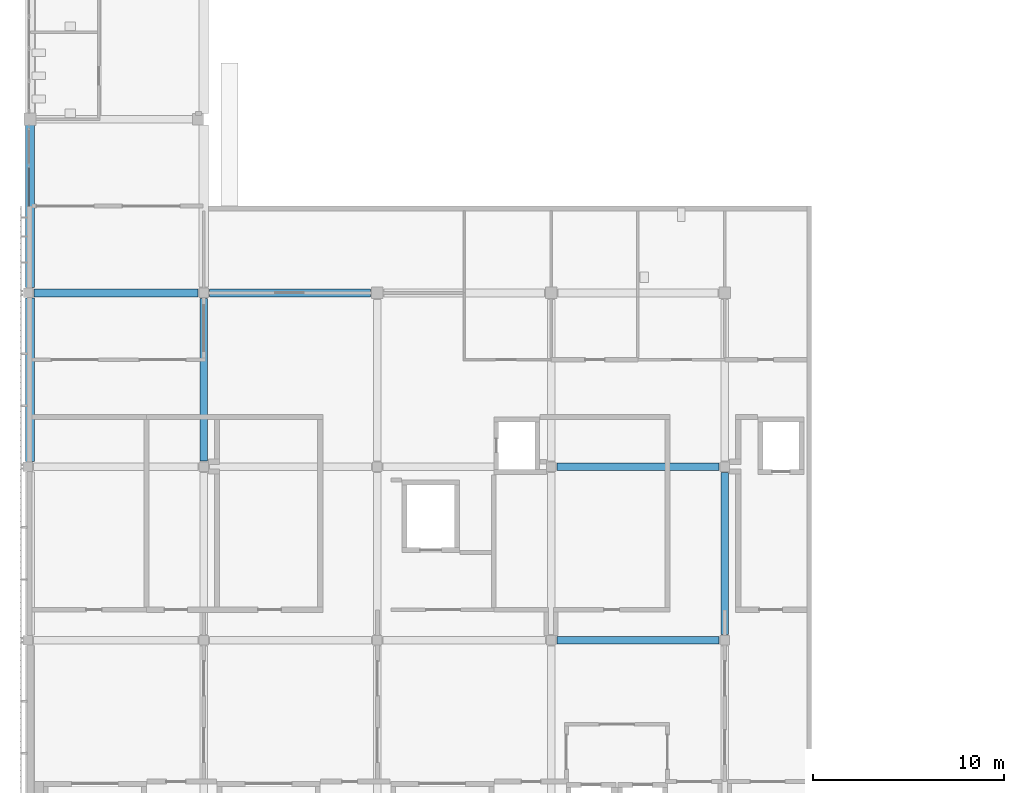
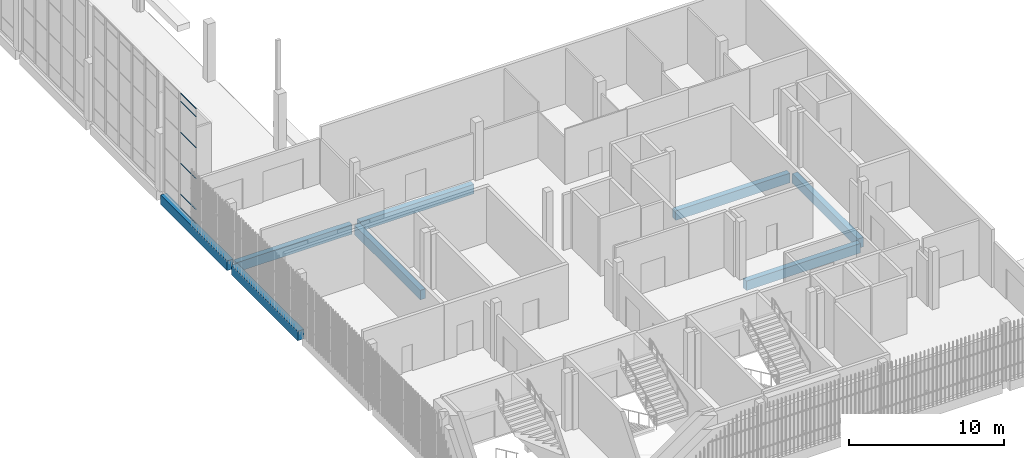
# One storey, part 6 of 91: 8 beams, 6 members, 1 element without a shape of its own.
"""IFC4 building model written with IfcOpenShell, lengths in metres."""

from ifc_helpers import new_model, si_unit, direction, frame, origin, origin_2d, place, context, subcontext, project, spatial, rectangle, hollow_rectangle, extrude, material, layer, layer_set, material_profile, profile_set, type_object, element, aggregate, save


model = new_model("IFC4")

# Units and contexts
model_context = context("Model", 3, precision=1e-05, world=origin(), true_north=direction((0.0, 1.0)))
body_context = subcontext(model_context, "Body", "Model", "MODEL_VIEW")
ifc_project = project(units=[si_unit("LENGTHUNIT", "METRE"), si_unit("AREAUNIT", "SQUARE_METRE"), si_unit("VOLUMEUNIT", "CUBIC_METRE"), si_unit("PLANEANGLEUNIT", "RADIAN"), si_unit("MASSUNIT", "GRAM", prefix="KILO")], contexts=[model_context])

# Site, building, storey
site_placement = place(None, origin())
site = spatial("IfcSite", under=ifc_project, at=site_placement, CompositionType="ELEMENT")
building_placement = place(site_placement, origin())
building = spatial("IfcBuilding", under=site, at=building_placement, Name="Shirokan Park Arena", CompositionType="ELEMENT")
storey_placement = place(building_placement, frame((0.0, 0.0, 24.570068359375)))
storey = spatial("IfcBuildingStorey", under=building, at=storey_placement, Name="L05", CompositionType="ELEMENT", Elevation=24.570068359375)

# Beams
ifc_material_1 = material(Name="Concrete C35", Category="concrete")
ifc_material_profile_1 = material_profile(ifc_material_1, rectangle(XDim=0.39990234375, YDim=0.75, at=origin_2d()), Name="400x750")
ifc_profile_set_1 = profile_set([ifc_material_profile_1], Name="Concrete C35")
beam_type_1 = type_object("IfcBeamType", Name="RC girder 400x750", PredefinedType="BEAM", material=ifc_profile_set_1)
beam_1_placement = place(storey_placement, frame((0.2001953125, 36.39990234375, -0.675048828125), z_axis=(1.0, 0.0, 0.0), x_axis=(0.0, 1.0, 0.0)))
element("IfcBeam", 1, at=beam_1_placement, inside=storey, type_object=beam_type_1, Name="Girder 1E-2E L05", PredefinedType="BEAM", context=body_context, shape_type="SweptSolid", body=[
    extrude(rectangle(XDim=0.39990234375, YDim=0.75, at=origin_2d()), origin(), (0.0, 0.0, 1.0), 8.599609375),
])
beam_2_placement = place(storey_placement, frame((9.400146484375, 36.39990234375, -0.675048828125), z_axis=(1.0, 0.0, 0.0), x_axis=(0.0, 1.0, 0.0)))
element("IfcBeam", 2, at=beam_2_placement, inside=storey, type_object=beam_type_1, Name="Girder 2E-3E L05", PredefinedType="BEAM", context=body_context, shape_type="SweptSolid", body=[
    extrude(rectangle(XDim=0.39990234375, YDim=0.75, at=origin_2d()), origin(), (0.0, 0.0, 1.0), 8.44970703125),
])
for number, where, z_axis, x_axis, name in (
    (3, (27.60009765625, 18.199951171875, -0.675048828125), (1.0, 0.0, 0.0), (0.0, 1.0, 0.0), "Girder 4C-5C L05"),
    (4, (27.60009765625, 27.300048828125, -0.675048828125), (1.0, 0.0, 0.0), (0.0, 1.0, 0.0), "Girder 4D-5D L05"),
    (5, (9.10009765625, 27.60009765625, -0.675048828125), (0.0, 1.0, 0.0), (-1.0, 0.0, 0.0), "Girder 2D-2E L05"),
):
    element("IfcBeam", number, at=place(storey_placement, frame(where, z_axis=z_axis, x_axis=x_axis)), inside=storey, type_object=beam_type_1, Name=name, PredefinedType="BEAM", context=body_context, shape_type="SweptSolid", body=[
        extrude(rectangle(XDim=0.39990234375, YDim=0.75, at=origin_2d()), origin(), (0.0, 0.0, 1.0), 8.499755859375),
    ])
beam_3_placement = place(storey_placement, frame((36.39990234375, 18.5, -0.675048828125), z_axis=(0.0, 1.0, 0.0), x_axis=(-1.0, 0.0, 0.0)))
element("IfcBeam", 6, at=beam_3_placement, inside=storey, type_object=beam_type_1, Name="Girder 5C-5D L05", PredefinedType="BEAM", context=body_context, shape_type="SweptSolid", body=[
    extrude(rectangle(XDim=0.39990234375, YDim=0.75, at=origin_2d()), origin(), (0.0, 0.0, 1.0), 8.5),
])
ifc_material_profile_2 = material_profile(ifc_material_1, rectangle(XDim=0.449951171875, YDim=0.75, at=origin_2d()), Name="450x750")
ifc_profile_set_2 = profile_set([ifc_material_profile_2], Name="Concrete C35")
beam_type_2 = type_object("IfcBeamType", Name="RC girder 450x750", PredefinedType="BEAM", material=ifc_profile_set_2)
beam_4_placement = place(storey_placement, frame((0.0, 27.5751953125, -0.675048828125), z_axis=(0.0, 1.0, 0.0), x_axis=(-1.0, 0.0, 0.0)))
element("IfcBeam", 7, at=beam_4_placement, inside=storey, type_object=beam_type_2, Name="Girder 1D-1E L05", PredefinedType="BEAM", context=body_context, shape_type="SweptSolid", body=[
    extrude(rectangle(XDim=0.449951171875, YDim=0.75, at=origin_2d()), origin(), (0.0, 0.0, 1.0), 8.5498046875),
])
beam_5_placement = place(storey_placement, frame((0.0, 36.675048828125, -0.675048828125), z_axis=(0.0, 1.0, 0.0), x_axis=(-1.0, 0.0, 0.0)))
element("IfcBeam", 8, at=beam_5_placement, inside=storey, type_object=beam_type_2, Name="Girder 1E-1F L05", PredefinedType="BEAM", context=body_context, shape_type="SweptSolid", body=[
    extrude(rectangle(XDim=0.449951171875, YDim=0.75, at=origin_2d()), origin(), (0.0, 0.0, 1.0), 8.574951171875),
])

# Curtain wall, members
ifc_material_2 = material(Name="Steel and glass curtain wall", Category="steel")
ifc_layer = layer(ifc_material_2, 0.199951171875)
ifc_layer_set = layer_set([ifc_layer], Name="Steel and glass curtain wall 200 mm")
curtain_wall_type = type_object("IfcCurtainWallType", Name="Curtain wall hall bay 200", PredefinedType="NOTDEFINED", material=ifc_layer_set)
curtain_wall_placement = place(storey_placement, origin())
curtain_wall = element("IfcCurtainWall", 9, at=curtain_wall_placement, inside=storey, type_object=curtain_wall_type, Name="Curtain wall west bay 8 L05", PredefinedType="NOTDEFINED")
ifc_material_3 = material(Name="Steel S355", Category="steel")
ifc_material_profile_3 = material_profile(ifc_material_3, hollow_rectangle(XDim=0.06005859375, YDim=0.0400390625, WallThickness=0.00390625, at=origin_2d()), Name="RHS 60x40x4")
ifc_profile_set_3 = profile_set([ifc_material_profile_3], Name="Steel S355")
member_type = type_object("IfcMemberType", Name="Transom RHS 60x40x4", PredefinedType="MULLION", material=ifc_profile_set_3)
member_1_placement = place(storey_placement, frame((-0.050048828125, 42.96240234375, 0.02001953125), z_axis=(0.0, -1.0, 0.0), x_axis=(1.0, 0.0, 0.0)))
member_1 = element("IfcMember", 10, at=member_1_placement, type_object=member_type, Name="CW5 transom 2.1", PredefinedType="MULLION", context=body_context, shape_type="SweptSolid", body=[
    extrude(hollow_rectangle(XDim=0.06005859375, YDim=0.0400390625, WallThickness=0.00390625, at=origin_2d()), origin(), (0.0, 0.0, 1.0), 2.012451171875),
])
member_2_placement = place(storey_placement, frame((-0.050048828125, 42.96240234375, 1.099853515625), z_axis=(0.0, -1.0, 0.0), x_axis=(1.0, 0.0, 0.0)))
member_2 = element("IfcMember", 11, at=member_2_placement, type_object=member_type, Name="CW5 transom 2.2", PredefinedType="MULLION", context=body_context, shape_type="SweptSolid", body=[
    extrude(hollow_rectangle(XDim=0.06005859375, YDim=0.0400390625, WallThickness=0.00390625, at=origin_2d()), origin(), (0.0, 0.0, 1.0), 2.012451171875),
])
member_3_placement = place(storey_placement, frame((-0.050048828125, 42.96240234375, 3.533203125), z_axis=(0.0, -1.0, 0.0), x_axis=(1.0, 0.0, 0.0)))
member_3 = element("IfcMember", 12, at=member_3_placement, type_object=member_type, Name="CW5 transom 2.3", PredefinedType="MULLION", context=body_context, shape_type="SweptSolid", body=[
    extrude(hollow_rectangle(XDim=0.06005859375, YDim=0.0400390625, WallThickness=0.00390625, at=origin_2d()), origin(), (0.0, 0.0, 1.0), 2.012451171875),
])
member_4_placement = place(storey_placement, frame((-0.050048828125, 42.96240234375, 5.966552734375), z_axis=(0.0, -1.0, 0.0), x_axis=(1.0, 0.0, 0.0)))
member_4 = element("IfcMember", 13, at=member_4_placement, type_object=member_type, Name="CW5 transom 2.4", PredefinedType="MULLION", context=body_context, shape_type="SweptSolid", body=[
    extrude(hollow_rectangle(XDim=0.06005859375, YDim=0.0400390625, WallThickness=0.00390625, at=origin_2d()), origin(), (0.0, 0.0, 1.0), 2.012451171875),
])
member_5_placement = place(storey_placement, frame((-0.050048828125, 42.96240234375, 8.39990234375), z_axis=(0.0, -1.0, 0.0), x_axis=(1.0, 0.0, 0.0)))
member_5 = element("IfcMember", 14, at=member_5_placement, type_object=member_type, Name="CW5 transom 2.5", PredefinedType="MULLION", context=body_context, shape_type="SweptSolid", body=[
    extrude(hollow_rectangle(XDim=0.06005859375, YDim=0.0400390625, WallThickness=0.00390625, at=origin_2d()), origin(), (0.0, 0.0, 1.0), 2.012451171875),
])
member_6_placement = place(storey_placement, frame((-0.050048828125, 42.96240234375, 9.030029296875), z_axis=(0.0, -1.0, 0.0), x_axis=(1.0, 0.0, 0.0)))
member_6 = element("IfcMember", 15, at=member_6_placement, type_object=member_type, Name="CW5 transom 2.6", PredefinedType="MULLION", context=body_context, shape_type="SweptSolid", body=[
    extrude(hollow_rectangle(XDim=0.06005859375, YDim=0.0400390625, WallThickness=0.00390625, at=origin_2d()), origin(), (0.0, 0.0, 1.0), 2.012451171875),
])
aggregate(curtain_wall, [member_1, member_2, member_3, member_4, member_5, member_6])

save(model, "model.ifc")
